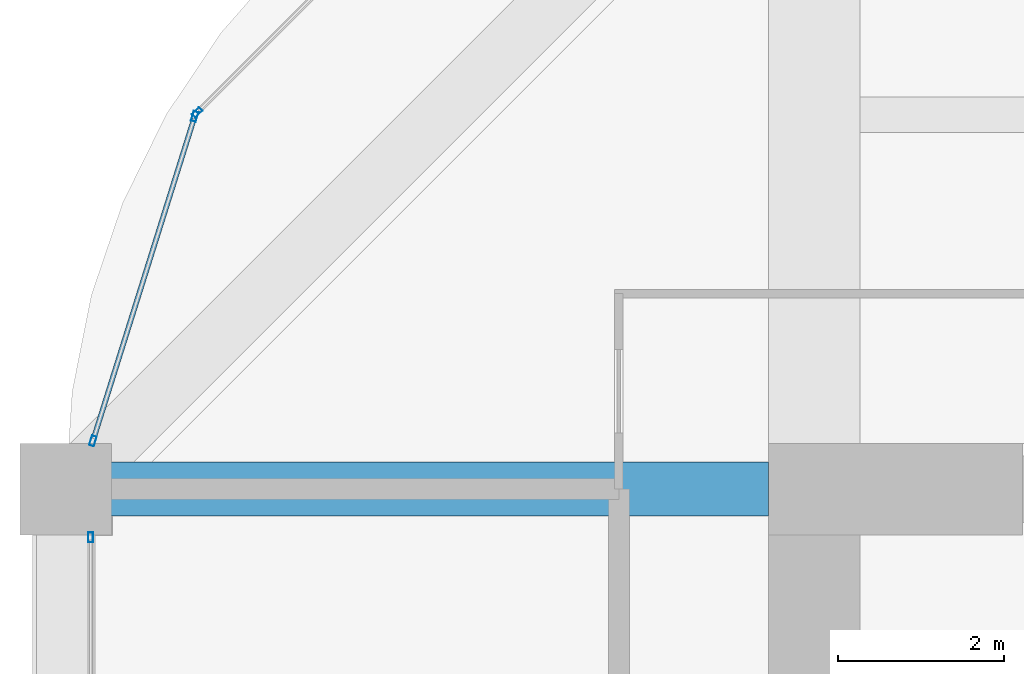
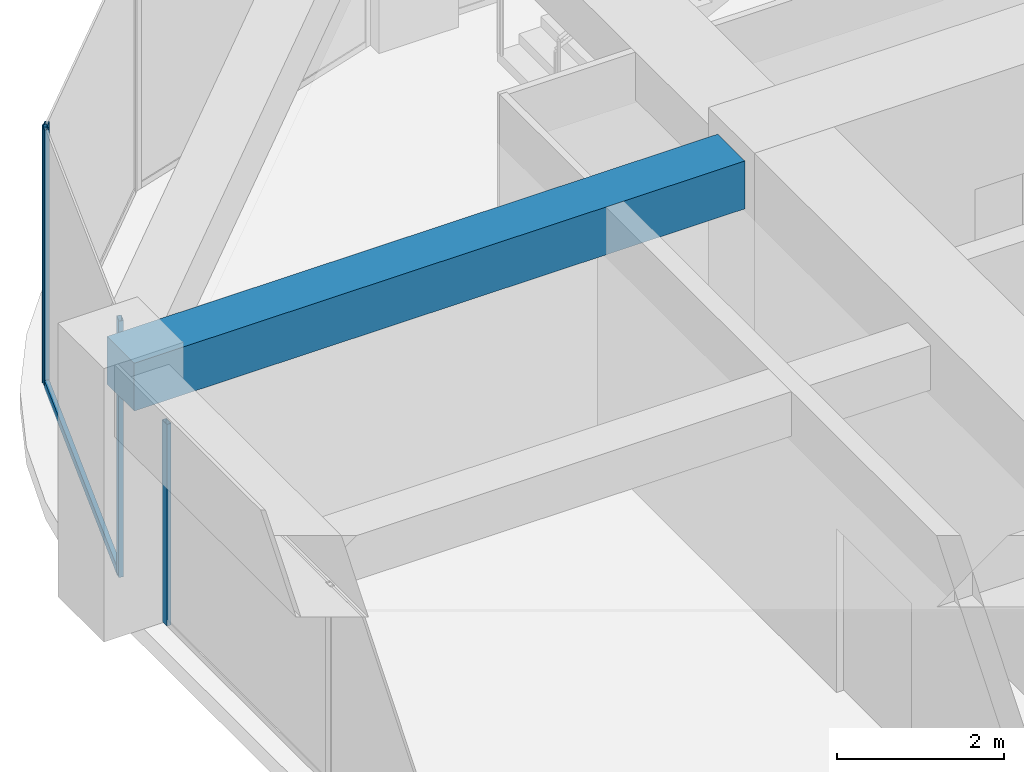
# One storey, part 28 of 44: 5 members, 1 beam, 3 elements without a shape of their own.
"""IFC4 building model written with IfcOpenShell, lengths in metres."""

import ifcopenshell
import ifcopenshell.guid

model = None  # the IFC model being written
_history = None  # IfcOwnerHistory: only IFC2X3 demands one
_inside = {}  # id of a spatial element -> (the spatial element, [elements in it])
_under = {}  # id of a project, library or spatial element -> (it, [spatial elements below it])
_declared = {}  # id of a project -> (the project, [libraries it declares])
_typed = {}  # id of a type object -> (the type object, [elements of that type])
_made_of = {}  # id of a material, layer set ... -> (it, [elements and type objects made of it])


def new_model(schema):
    """Start an empty IFC model of exactly this schema.

    Asked for "IFC4X3", IfcOpenShell would pick the latest addendum, in which some entities
    have other attributes; the version numbers below select the first issue.
    IFC2X3 requires an IfcOwnerHistory on every rooted entity: one is made here for all.
    """
    global model, _history
    if schema == "IFC4X3":
        model = ifcopenshell.file(schema_version=(4, 3, 0, 0))
    else:
        model = ifcopenshell.file(schema=schema)
    _inside.clear()
    _under.clear()
    _declared.clear()
    _typed.clear()
    _made_of.clear()
    _history = None
    if model.schema == "IFC2X3":
        org = make("IfcOrganization", Name="unknown")
        user = make(
            "IfcPersonAndOrganization",
            ThePerson=make("IfcPerson", FamilyName="unknown"),
            TheOrganization=org,
        )
        app = make(
            "IfcApplication",
            ApplicationDeveloper=org,
            Version="unknown",
            ApplicationFullName="unknown",
            ApplicationIdentifier="unknown",
        )
        _history = make(
            "IfcOwnerHistory",
            OwningUser=user,
            OwningApplication=app,
            ChangeAction="ADDED",
            CreationDate=0,
        )
    return model


def make(cls, **values):
    """One entity of the class cls with the attributes given. An attribute that is None is left unset."""
    return model.create_entity(
        cls, **{name: value for name, value in values.items() if value is not None}
    )


def rooted(cls, **values):
    """An entity with a GlobalId (a new one), such as an element, a storey or a relation."""
    return make(cls, GlobalId=ifcopenshell.guid.new(), OwnerHistory=_history, **values)


def si_unit(unit_type, name, prefix=None):
    """IfcSIUnit, for example si_unit("LENGTHUNIT", "METRE", prefix="MILLI")."""
    return make("IfcSIUnit", UnitType=unit_type, Prefix=prefix, Name=name)


def assignment(units):
    """IfcUnitAssignment: the units of a project."""
    return None if units is None else make("IfcUnitAssignment", Units=units)


def point(xyz):
    """IfcCartesianPoint."""
    return None if xyz is None else make("IfcCartesianPoint", Coordinates=xyz)


def direction(xyz):
    """IfcDirection."""
    return None if xyz is None else make("IfcDirection", DirectionRatios=xyz)


def frame(location, z_axis=None, x_axis=None):
    """IfcAxis2Placement3D, a coordinate frame: its origin and axes. An axis left out is left unset."""
    return make(
        "IfcAxis2Placement3D",
        Location=point(location),
        Axis=direction(z_axis),
        RefDirection=direction(x_axis),
    )


def frame_2d(location, x_axis=None):
    """IfcAxis2Placement2D, a coordinate frame in the plane: its origin and x axis."""
    return make(
        "IfcAxis2Placement2D", Location=point(location), RefDirection=direction(x_axis)
    )


def origin():
    """The frame at (0, 0, 0) with its axes left unset."""
    return frame((0.0, 0.0, 0.0))


def origin_2d():
    """The frame at (0, 0) in the plane with its x axis left unset."""
    return frame_2d((0.0, 0.0))


def place(relative_to, where):
    """IfcLocalPlacement: puts the frame where relative to a parent placement (None: the world)."""
    return make(
        "IfcLocalPlacement", PlacementRelTo=relative_to, RelativePlacement=where
    )


def context(
    kind, dimensions, precision=None, world=None, true_north=None, identifier=None
):
    """IfcGeometricRepresentationContext, for example the 3D "Model" context."""
    return make(
        "IfcGeometricRepresentationContext",
        ContextIdentifier=identifier,
        ContextType=kind,
        CoordinateSpaceDimension=dimensions,
        Precision=precision,
        WorldCoordinateSystem=world,
        TrueNorth=true_north,
    )


def subcontext(parent, identifier, kind, view, scale=None):
    """IfcGeometricRepresentationSubContext, for example "Body" below "Model"."""
    return make(
        "IfcGeometricRepresentationSubContext",
        ContextIdentifier=identifier,
        ContextType=kind,
        ParentContext=parent,
        TargetScale=scale,
        TargetView=view,
    )


def project(units=None, contexts=None):
    """IfcProject with its units and contexts."""
    return rooted(
        "IfcProject",
        Name="project",
        RepresentationContexts=contexts,
        UnitsInContext=assignment(units),
    )


def spatial(cls, under=None, at=None, **own):
    """A site, building, storey or space (cls), placed at a placement, below another one or the project."""
    s = rooted(cls, ObjectPlacement=at, **own)
    if under is not None:
        _under.setdefault(under.id(), (under, []))[1].append(s)
    return s


def profile(cls, at=None, kind="AREA", **sizes):
    """A parametric profile (cls). Its sizes go by their IFC names, for example OverallWidth=200.0."""
    return make(cls, ProfileType=kind, Position=at, **sizes)


def rectangle(**sizes):
    """IfcRectangleProfileDef."""
    return profile("IfcRectangleProfileDef", **sizes)


def hollow_rectangle(**sizes):
    """IfcRectangleHollowProfileDef."""
    return profile("IfcRectangleHollowProfileDef", **sizes)


def extrude(swept, where, along, depth):
    """IfcExtrudedAreaSolid: the profile swept, set in the frame where, extruded along a direction by depth."""
    return make(
        "IfcExtrudedAreaSolid",
        SweptArea=swept,
        Position=where,
        ExtrudedDirection=direction(along),
        Depth=depth,
    )


def shape(context_of_items, identifier, shape_type, items):
    """IfcShapeRepresentation: the items that make up one representation, for example the "Body"."""
    return make(
        "IfcShapeRepresentation",
        ContextOfItems=context_of_items,
        RepresentationIdentifier=identifier,
        RepresentationType=shape_type,
        Items=items,
    )


def material(Name=None, Category=None):
    """IfcMaterial."""
    return make("IfcMaterial", Name=Name, Category=Category)


def material_profile(
    of_material, cross_section, Name=None, Category=None, Priority=None
):
    """IfcMaterialProfile: a cross section and its material."""
    return make(
        "IfcMaterialProfile",
        Name=Name,
        Material=of_material,
        Profile=cross_section,
        Priority=Priority,
        Category=Category,
    )


def profile_set(profiles, Name=None, composite=None):
    """IfcMaterialProfileSet."""
    return make(
        "IfcMaterialProfileSet",
        Name=Name,
        MaterialProfiles=profiles,
        CompositeProfile=composite,
    )


def made_of(thing, what):
    """Note that an element or type object is made of a material, layer set ...; save() writes the relation."""
    if what is not None:
        _made_of.setdefault(what.id(), (what, []))[1].append(thing)
    return thing


def type_object(cls, material=None, **own):
    """A type object (cls), such as IfcWallType, which elements share."""
    return made_of(rooted(cls, **own), material)


def element(
    cls,
    number,
    at=None,
    inside=None,
    cuts=None,
    type_object=None,
    material=None,
    context=None,
    identifier="Body",
    shape_type=None,
    held_by="IfcProductDefinitionShape",
    body=None,
    shapes=None,
    **own,
):
    """One element of the class cls, such as IfcWall. Its Tag is "e" and its number.

    at: its placement. inside: the storey or other place that contains it. cuts: it is an
    opening in that element (IfcRelVoidsElement). A single representation is given by context,
    identifier, shape_type and body (its items); several are given by shapes. held_by: the class
    of the entity that holds the representations. save() writes the other relations.
    """
    e = rooted(cls, Tag="e%d" % number, ObjectPlacement=at, **own)
    if body is not None:
        shapes = [shape(context, identifier, shape_type, body)]
    if shapes is not None:
        e.Representation = make(held_by, Representations=shapes)
    if inside is not None:
        _inside.setdefault(inside.id(), (inside, []))[1].append(e)
    if cuts is not None:
        rooted(
            "IfcRelVoidsElement", RelatingBuildingElement=cuts, RelatedOpeningElement=e
        )
    if type_object is not None:
        _typed.setdefault(type_object.id(), (type_object, []))[1].append(e)
    return made_of(e, material)


def aggregate(whole, parts):
    """IfcRelAggregates: a whole, such as a stair, and the parts it consists of."""
    return rooted("IfcRelAggregates", RelatingObject=whole, RelatedObjects=parts)


def save(model, path):
    """Write the relations noted so far, then the file.

    IfcRelAggregates (storeys below a building ...), IfcRelContainedInSpatialStructure (elements
    in a storey), IfcRelDefinesByType, IfcRelAssociatesMaterial and IfcRelDeclares: one each for
    every whole, place, type object, material and project.
    """
    for whole, parts in _under.values():
        aggregate(whole, parts)
    for where, things in _inside.values():
        rooted(
            "IfcRelContainedInSpatialStructure",
            RelatedElements=things,
            RelatingStructure=where,
        )
    for kind, things in _typed.values():
        rooted("IfcRelDefinesByType", RelatedObjects=things, RelatingType=kind)
    for what, things in _made_of.values():
        rooted("IfcRelAssociatesMaterial", RelatedObjects=things, RelatingMaterial=what)
    for by, libraries in _declared.values():
        rooted("IfcRelDeclares", RelatingContext=by, RelatedDefinitions=libraries)
    model.write(path)


model = new_model("IFC4")

# Units and contexts
model_context = context("Model", 3, precision=1e-05, world=origin(), true_north=direction((0.0, 1.0)))
body_context = subcontext(model_context, "Body", "Model", "MODEL_VIEW")
ifc_project = project(units=[si_unit("LENGTHUNIT", "METRE"), si_unit("AREAUNIT", "SQUARE_METRE"), si_unit("VOLUMEUNIT", "CUBIC_METRE"), si_unit("PLANEANGLEUNIT", "RADIAN"), si_unit("MASSUNIT", "GRAM", prefix="KILO")], contexts=[model_context])

# Site, building, storey
site_placement = place(None, origin())
site = spatial("IfcSite", under=ifc_project, at=site_placement, CompositionType="ELEMENT")
building_placement = place(site_placement, origin())
building = spatial("IfcBuilding", under=site, at=building_placement, Name="Zorevar Civic Tower", CompositionType="ELEMENT")
storey_placement = place(building_placement, frame((0.0, 0.0, 271.39990234375)))
storey = spatial("IfcBuildingStorey", under=building, at=storey_placement, Name="L66", CompositionType="ELEMENT", Elevation=271.39990234375)

# Beam
ifc_material_1 = material(Name="Concrete C50/60", Category="concrete")
ifc_material_profile_1 = material_profile(ifc_material_1, rectangle(XDim=0.64990234375, YDim=0.699951171875, at=origin_2d()), Name="RC 650x700")
ifc_profile_set_1 = profile_set([ifc_material_profile_1], Name="Concrete C50/60")
beam_type = type_object("IfcBeamType", Name="Beam RC 650x700", PredefinedType="BEAM", material=ifc_profile_set_1)
beam_placement = place(storey_placement, frame((9.0, 36.0, 3.400146484375), z_axis=(1.0, 0.0, 0.0), x_axis=(0.0, 1.0, 0.0)))
element("IfcBeam", 1, at=beam_placement, inside=storey, type_object=beam_type, Name="Girder L67", PredefinedType="BEAM", context=body_context, shape_type="SweptSolid", body=[
    extrude(rectangle(XDim=0.64990234375, YDim=0.699951171875, at=origin_2d()), origin(), (0.0, 0.0, 1.0), 8.449951171875),
])

# Curtain wall, member
ifc_material_2 = material(Name="Dark grey solar-control glass in black aluminium frame", Category="aluminium")
curtain_wall_type = type_object("IfcCurtainWallType", Name="Curtain wall CW5 top zone", PredefinedType="NOTDEFINED", material=ifc_material_2)
curtain_wall_1_placement = place(storey_placement, origin())
curtain_wall_1 = element("IfcCurtainWall", 2, at=curtain_wall_1_placement, inside=storey, type_object=curtain_wall_type, Name="CW5 L66", PredefinedType="NOTDEFINED")
ifc_material_3 = material(Name="Aluminium, black anodised", Category="aluminium")
ifc_material_profile_2 = material_profile(ifc_material_3, hollow_rectangle(XDim=0.06005859375, YDim=0.1201171875, WallThickness=0.0029296875, at=origin_2d()), Name="AL 120x60x3")
ifc_profile_set_2 = profile_set([ifc_material_profile_2], Name="Aluminium, black anodised")
member_type_1 = type_object("IfcMemberType", Name="CW5 mullion AL 120x60x3", PredefinedType="MULLION", material=ifc_profile_set_2)
member_1_placement = place(storey_placement, frame((9.300048828125, 35.419921875, 0.0), z_axis=(0.0, 0.0, 1.0), x_axis=(-1.0, 0.0, 0.0)))
member_1 = element("IfcMember", 3, at=member_1_placement, type_object=member_type_1, Name="CW5 mullion 3", PredefinedType="MULLION", context=body_context, shape_type="SweptSolid", body=[
    extrude(hollow_rectangle(XDim=0.06005859375, YDim=0.1201171875, WallThickness=0.0029296875, at=origin_2d()), origin(), (0.0, 0.0, 1.0), 2.9501953125),
])
aggregate(curtain_wall_1, [member_1])

curtain_wall_2_placement = place(storey_placement, origin())
curtain_wall_2 = element("IfcCurtainWall", 4, at=curtain_wall_2_placement, inside=storey, type_object=curtain_wall_type, Name="CW5 L66", PredefinedType="NOTDEFINED")
member_2_placement = place(storey_placement, frame((10.580322265625, 40.529052734375, 0.0), z_axis=(0.0, 0.0, 1.0), x_axis=(0.707106781187, -0.707106781187, 0.0)))
member_2 = element("IfcMember", 5, at=member_2_placement, type_object=member_type_1, Name="CW5 mullion 2", PredefinedType="MULLION", context=body_context, shape_type="SweptSolid", body=[
    extrude(hollow_rectangle(XDim=0.06005859375, YDim=0.1201171875, WallThickness=0.0029296875, at=origin_2d()), origin(), (0.0, 0.0, 1.0), 3.75),
])
aggregate(curtain_wall_2, [member_2])

# Curtain wall, members
curtain_wall_3_placement = place(storey_placement, origin())
curtain_wall_3 = element("IfcCurtainWall", 6, at=curtain_wall_3_placement, inside=storey, type_object=curtain_wall_type, Name="CW5 L66", PredefinedType="NOTDEFINED")
member_3_placement = place(storey_placement, frame((10.550048828125, 40.479248046875, 0.0), z_axis=(0.0, 0.0, 1.0), x_axis=(0.954153437674, -0.299317920238, 0.0)))
member_3 = element("IfcMember", 7, at=member_3_placement, type_object=member_type_1, Name="CW5 mullion 1", PredefinedType="MULLION", context=body_context, shape_type="SweptSolid", body=[
    extrude(hollow_rectangle(XDim=0.06005859375, YDim=0.1201171875, WallThickness=0.0029296875, at=origin_2d()), origin(), (0.0, 0.0, 1.0), 3.75),
])
member_4_placement = place(storey_placement, frame((9.326416015625, 36.57861328125, 0.0), z_axis=(0.0, 0.0, 1.0), x_axis=(0.954153437674, -0.299317920238, 0.0)))
member_4 = element("IfcMember", 8, at=member_4_placement, type_object=member_type_1, Name="CW5 mullion 2", PredefinedType="MULLION", context=body_context, shape_type="SweptSolid", body=[
    extrude(hollow_rectangle(XDim=0.06005859375, YDim=0.1201171875, WallThickness=0.0029296875, at=origin_2d()), origin(), (0.0, 0.0, 1.0), 3.75),
])
ifc_material_4 = material(Name="Aluminium, black anodised", Category="aluminium")
ifc_material_profile_3 = material_profile(ifc_material_4, hollow_rectangle(XDim=0.06005859375, YDim=0.1201171875, WallThickness=0.0029296875, at=origin_2d()), Name="AL 120x60x3")
ifc_profile_set_3 = profile_set([ifc_material_profile_3], Name="Aluminium, black anodised")
member_type_2 = type_object("IfcMemberType", Name="CW5 transom AL 120x60x3", PredefinedType="USERDEFINED", material=ifc_profile_set_3)
member_5_placement = place(storey_placement, frame((10.541015625, 40.45068359375, 0.030029296875), z_axis=(-0.299285978047, -0.954163457351, 0.0), x_axis=(0.954163457351, -0.299285978047, 0.0)))
member_5 = element("IfcMember", 9, at=member_5_placement, type_object=member_type_2, Name="CW5 sill transom", ObjectType="TRANSOM", PredefinedType="USERDEFINED", context=body_context, shape_type="SweptSolid", body=[
    extrude(hollow_rectangle(XDim=0.06005859375, YDim=0.1201171875, WallThickness=0.0029296875, at=origin_2d()), origin(), (0.0, 0.0, 1.0), 4.028076171875),
])
aggregate(curtain_wall_3, [member_3, member_4, member_5])

save(model, "model.ifc")
